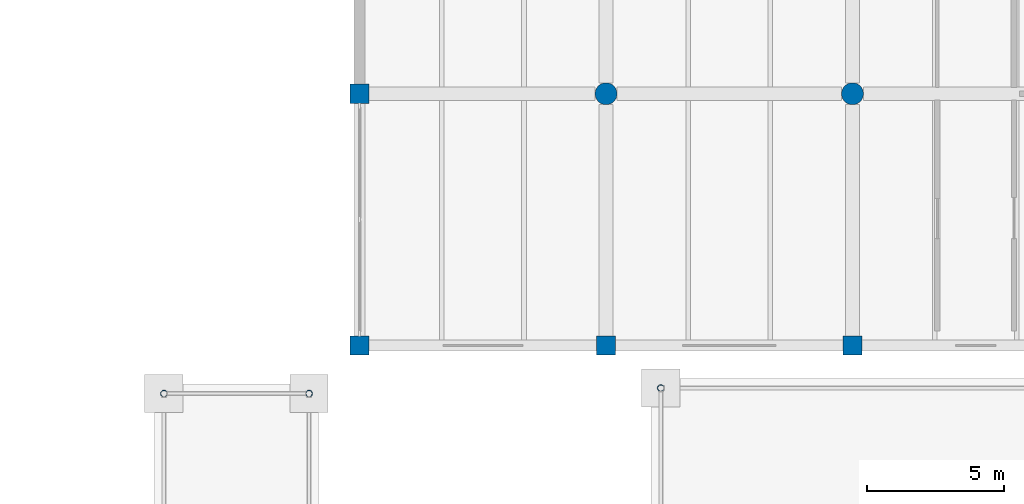
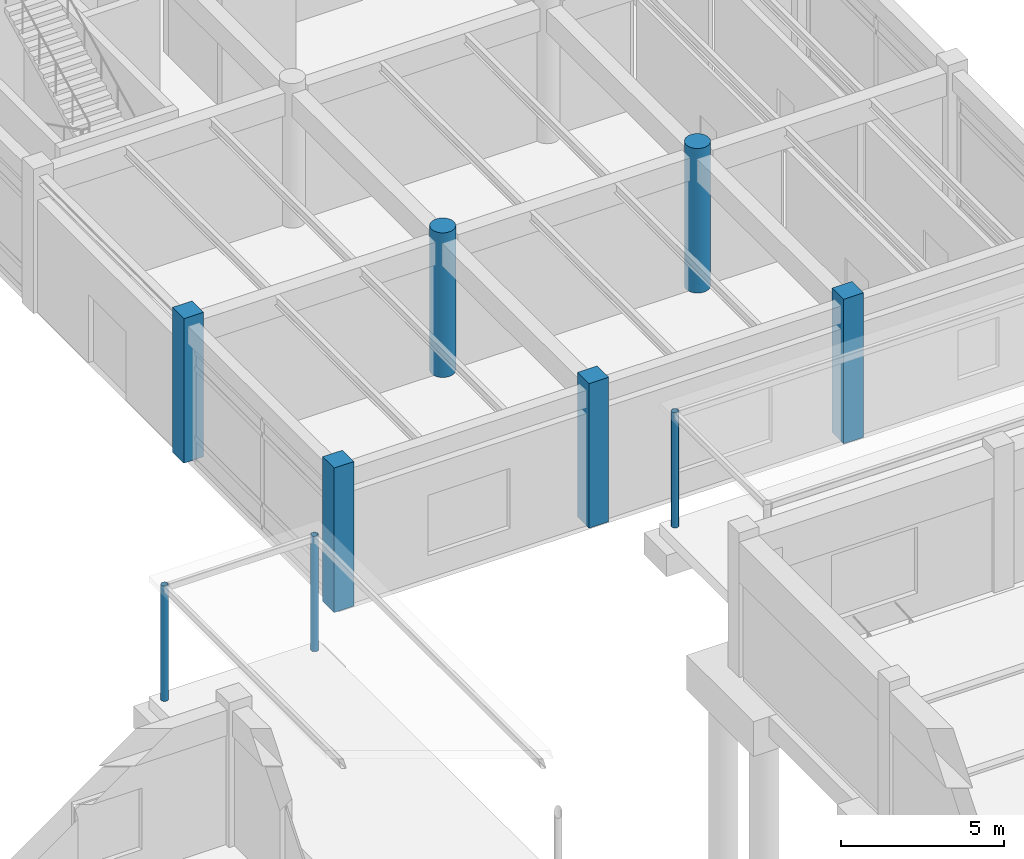
# One storey, part 11 of 76: 9 columns.
"""IFC4 building model written with IfcOpenShell, lengths in metres."""

from ifc_helpers import new_model, si_unit, direction, frame, origin, origin_2d, place, context, subcontext, project, spatial, rectangle, circle, hollow_circle, extrude, material, material_profile, profile_set, type_object, element, save


model = new_model("IFC4")

# Units and contexts
model_context = context("Model", 3, precision=1e-05, world=origin(), true_north=direction((0.0, 1.0)))
body_context = subcontext(model_context, "Body", "Model", "MODEL_VIEW")
ifc_project = project(units=[si_unit("LENGTHUNIT", "METRE"), si_unit("AREAUNIT", "SQUARE_METRE"), si_unit("VOLUMEUNIT", "CUBIC_METRE"), si_unit("PLANEANGLEUNIT", "RADIAN"), si_unit("MASSUNIT", "GRAM", prefix="KILO")], contexts=[model_context])

# Site, building, storey
site_placement = place(None, origin())
site = spatial("IfcSite", under=ifc_project, at=site_placement, CompositionType="ELEMENT")
building_placement = place(site_placement, origin())
building = spatial("IfcBuilding", under=site, at=building_placement, Name="Bozkorgan Art Gallery", CompositionType="ELEMENT")
storey_placement = place(building_placement, origin())
storey = spatial("IfcBuildingStorey", under=building, at=storey_placement, Name="L00", CompositionType="ELEMENT", Elevation=0.0)

# Columns
ifc_material_1 = material(Name="Concrete C40/50", Category="concrete")
ifc_material_profile_1 = material_profile(ifc_material_1, circle(Radius=0.39990234375, at=origin_2d()), Name="RC D800")
ifc_profile_set_1 = profile_set([ifc_material_profile_1], Name="Concrete C40/50")
column_type_1 = type_object("IfcColumnType", Name="COLUMN-C-60", PredefinedType="COLUMN", material=ifc_profile_set_1)
for number, where, z_axis, x_axis, name in (
    (1, (83.0, 47.60009765625, 0.0), (0.0, 0.0, 1.0), (1.0, 0.0, 0.0), "V4 L00 column (83.0, 47.6)"),
    (2, (92.0, 47.60009765625, 0.0), (0.0, 0.0, 1.0), (1.0, 0.0, 0.0), "V4 L00 column (92.0, 47.6)"),
):
    element("IfcColumn", number, at=place(storey_placement, frame(where, z_axis=z_axis, x_axis=x_axis)), inside=storey, type_object=column_type_1, Name=name, PredefinedType="COLUMN", context=body_context, shape_type="SweptSolid", body=[
        extrude(circle(Radius=0.39990234375, at=origin_2d()), origin(), (0.0, 0.0, 1.0), 5.39990234375),
    ])
ifc_material_profile_2 = material_profile(ifc_material_1, rectangle(XDim=0.699951171875, YDim=0.699951171875, at=origin_2d()), Name="RC 700x700")
ifc_profile_set_2 = profile_set([ifc_material_profile_2], Name="Concrete C40/50")
column_type_2 = type_object("IfcColumnType", Name="COLUMN-C-73", PredefinedType="COLUMN", material=ifc_profile_set_2)
for number, where, z_axis, x_axis, name in (
    (3, (74.0, 38.39990234375, 0.0), (0.0, 0.0, 1.0), (1.0, 0.0, 0.0), "V4 L00 column (74.0, 38.4)"),
    (4, (74.0, 47.60009765625, 0.0), (0.0, 0.0, 1.0), (1.0, 0.0, 0.0), "V4 L00 column (74.0, 47.6)"),
    (5, (83.0, 38.39990234375, 0.0), (0.0, 0.0, 1.0), (1.0, 0.0, 0.0), "V4 L00 column (83.0, 38.4)"),
    (6, (92.0, 38.39990234375, 0.0), (0.0, 0.0, 1.0), (1.0, 0.0, 0.0), "V4 L00 column (92.0, 38.4)"),
):
    element("IfcColumn", number, at=place(storey_placement, frame(where, z_axis=z_axis, x_axis=x_axis)), inside=storey, type_object=column_type_2, Name=name, PredefinedType="COLUMN", context=body_context, shape_type="SweptSolid", body=[
        extrude(rectangle(XDim=0.699951171875, YDim=0.699951171875, at=origin_2d()), origin(), (0.0, 0.0, 1.0), 5.39990234375),
    ])
ifc_material_2 = material(Name="Steel S355J2", Category="steel")
ifc_material_profile_3 = material_profile(ifc_material_2, hollow_circle(Radius=0.122314453125, WallThickness=0.010009765625, at=origin_2d()), Name="CHS 244.5x10")
ifc_profile_set_3 = profile_set([ifc_material_profile_3], Name="Steel S355J2")
column_type_3 = type_object("IfcColumnType", Name="COLUMN-WC-87", PredefinedType="COLUMN", material=ifc_profile_set_3)
for number, where, z_axis, x_axis, name in (
    (7, (72.14990234375, 36.64990234375, 0.0), (0.0, 0.0, 1.0), (1.0, 0.0, 0.0), "West Water-Court Covered Walk column 3"),
    (8, (66.85009765625, 36.64990234375, 0.0), (0.0, 0.0, 1.0), (1.0, 0.0, 0.0), "West Water-Court Covered Walk column 4"),
    (9, (85.0, 36.85009765625, 0.0), (0.0, 0.0, 1.0), (1.0, 0.0, 0.0), "Auditorium Foyer Covered Walk column 4"),
):
    element("IfcColumn", number, at=place(storey_placement, frame(where, z_axis=z_axis, x_axis=x_axis)), inside=storey, type_object=column_type_3, Name=name, PredefinedType="COLUMN", context=body_context, shape_type="SweptSolid", body=[
        extrude(hollow_circle(Radius=0.122314453125, WallThickness=0.010009765625, at=origin_2d()), origin(), (0.0, 0.0, 1.0), 4.300048828125),
    ])

save(model, "model.ifc")
